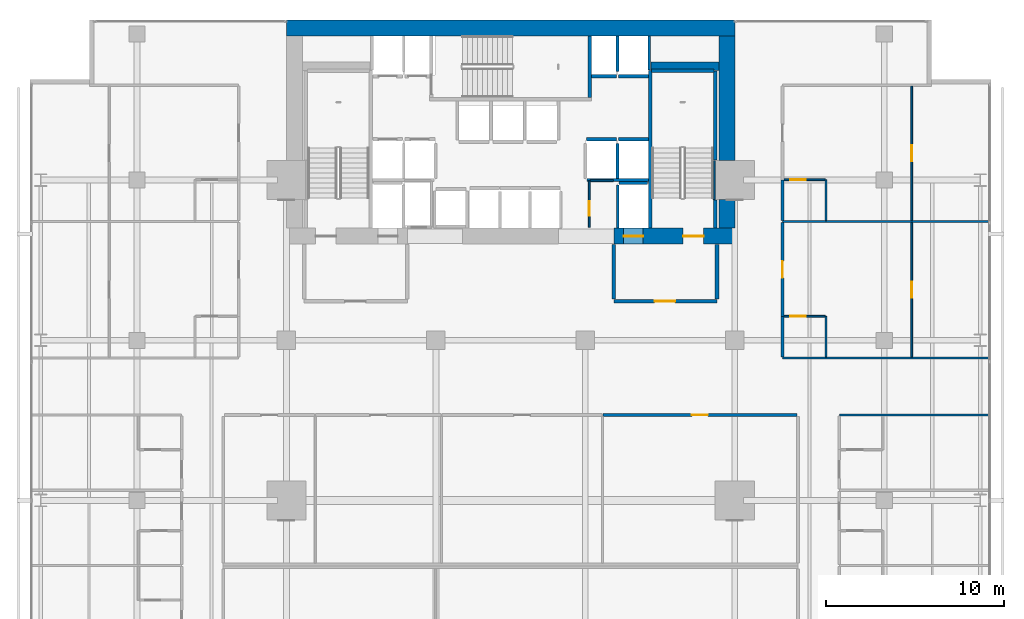
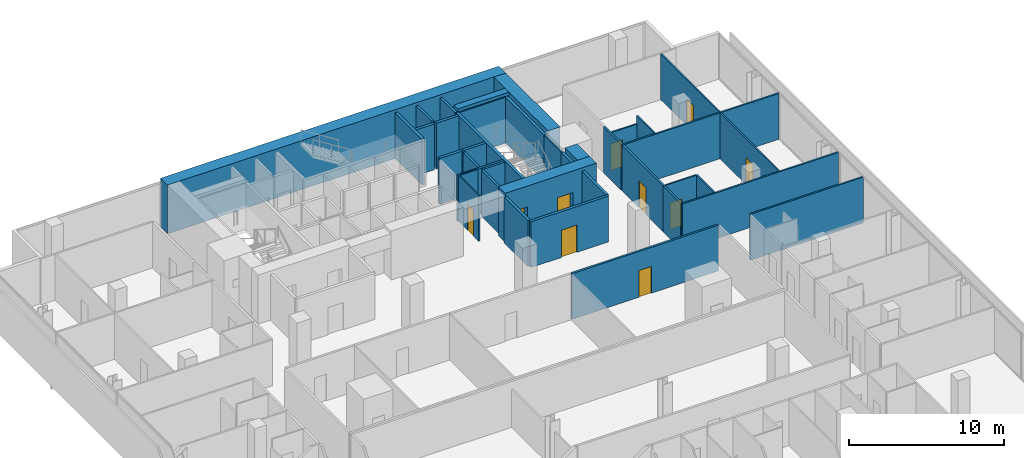
# One storey, part 37 of 40: 39 walls, 10 doors, 10 openings.
"""IFC4 building model written with IfcOpenShell, lengths in metres."""

from ifc_helpers import new_model, si_unit, direction, frame, frame_2d, origin, place, context, subcontext, project, spatial, rectangle, extrude, material, layer, layer_set, type_object, element, fill, save


model = new_model("IFC4")

# Units and contexts
model_context = context("Model", 3, precision=1e-05, world=origin(), true_north=direction((0.0, 1.0)))
body_context = subcontext(model_context, "Body", "Model", "MODEL_VIEW")
ifc_project = project(units=[si_unit("LENGTHUNIT", "METRE"), si_unit("AREAUNIT", "SQUARE_METRE"), si_unit("VOLUMEUNIT", "CUBIC_METRE"), si_unit("PLANEANGLEUNIT", "RADIAN"), si_unit("MASSUNIT", "GRAM", prefix="KILO")], contexts=[model_context])

# Site, building, storey
site_placement = place(None, origin())
site = spatial("IfcSite", under=ifc_project, at=site_placement, CompositionType="ELEMENT")
building_placement = place(site_placement, origin())
building = spatial("IfcBuilding", under=site, at=building_placement, Name="Maruvema Waterfront Hotel and Observation Tower", CompositionType="ELEMENT")
storey_placement = place(building_placement, frame((0.0, 0.0, 34.64990234375)))
storey = spatial("IfcBuildingStorey", under=building, at=storey_placement, Name="L07", CompositionType="ELEMENT", Elevation=34.64990234375)

# Wall, opening, door
ifc_material_1 = material(Name="Twin-stud acoustic gypsum drywall", Category="gypsum")
ifc_layer_1 = layer(ifc_material_1, 0.14990234375, Name="Acoustic Corridor and Suite Demising Wall 150 mm")
ifc_layer_set_1 = layer_set([ifc_layer_1], Name="Twin-stud acoustic gypsum drywall")
wall_type_1 = type_object("IfcWallType", Name="Acoustic Corridor and Suite Demising Wall 150 mm", PredefinedType="PARTITIONING", material=ifc_layer_set_1)
wall_1_placement = place(storey_placement, frame((42.998046875, 31.800048828125, 0.0), z_axis=(0.0, 0.0, 1.0), x_axis=(1.0, 0.0, 0.0)))
wall_1 = element("IfcWall", 1, at=wall_1_placement, inside=storey, type_object=wall_type_1, Name="L07 L07-INTN Front 4 021", PredefinedType="PARTITIONING", context=body_context, shape_type="SweptSolid", body=[
    extrude(rectangle(XDim=10.891845703125, YDim=0.14990234375, at=frame_2d((5.44580078125, 0.0))), origin(), (0.0, 0.0, 1.0), 3.610107421875),
])
opening_1_placement = place(wall_1_placement, frame((4.99609375, 0.0, 0.0)))
opening_1 = element("IfcOpeningElement", 2, at=opening_1_placement, cuts=wall_1, Name="Opening DR-090", PredefinedType="OPENING", context=body_context, shape_type="SweptSolid", body=[
    extrude(rectangle(XDim=0.89990234375, YDim=2.10009765625, at=frame_2d((0.449951171875, 1.050048828125))), frame((0.0, 0.0849609375, 0.0), z_axis=(0.0, -1.0, 0.0), x_axis=(1.0, 0.0, 0.0)), (0.0, 0.0, 1.0), 0.169921875),
])
ifc_material_2 = material(Name="Solid-core lacquered timber leaf", Category="wood")
door_type_1 = type_object("IfcDoorType", Name="Accessible Toilet and Room Door 900x2100 mm", OperationType="NOTDEFINED", PredefinedType="DOOR", material=ifc_material_2)
door_1_placement = place(opening_1_placement, origin())
door_1 = element("IfcDoor", 3, at=door_1_placement, inside=storey, type_object=door_type_1, Name="L07 Housekeeping Linen Room Door", OperationType="SINGLE_SWING_RIGHT", OverallHeight=2.10009765625, OverallWidth=0.89990234375, PredefinedType="DOOR", context=body_context, shape_type="SweptSolid", body=[
    extrude(rectangle(XDim=0.89990234375, YDim=2.10009765625, at=frame_2d((0.449951171875, 1.050048828125))), frame((0.0, 0.02490234375, 0.0), z_axis=(0.0, -1.0, 0.0), x_axis=(1.0, 0.0, 0.0)), (0.0, 0.0, 1.0), 0.050048828125),
])
fill(opening_1, door_1)

# Wall
wall_2_placement = place(storey_placement, frame((53.080078125, 35.06005859375, 0.0), z_axis=(0.0, 0.0, 1.0), x_axis=(0.0, 1.0, 0.0)))
element("IfcWall", 4, at=wall_2_placement, inside=storey, type_object=wall_type_1, Name="L07 Bath L07-NE1 Wall 122", PredefinedType="PARTITIONING", context=body_context, shape_type="SweptSolid", body=[
    extrude(rectangle(XDim=2.2900390625, YDim=0.14990234375, at=frame_2d((1.14501953125, 0.0))), origin(), (0.0, 0.0, 1.0), 3.610107421875),
])

# Wall, opening, door
wall_3_placement = place(storey_placement, frame((53.080078125, 37.35009765625, 0.0), z_axis=(0.0, 0.0, 1.0), x_axis=(0.0, 1.0, 0.0)))
wall_3 = element("IfcWall", 5, at=wall_3_placement, inside=storey, type_object=wall_type_1, Name="L07 Room L07-NE1 Corridor Wall 123", PredefinedType="PARTITIONING", context=body_context, shape_type="SweptSolid", body=[
    extrude(rectangle(XDim=5.2587890625, YDim=0.14990234375, at=frame_2d((2.62939453125, 0.0))), origin(), (0.0, 0.0, 1.0), 3.610107421875),
])
opening_2_placement = place(wall_3_placement, frame((2.154296875, 0.0, 0.0)))
opening_2 = element("IfcOpeningElement", 6, at=opening_2_placement, cuts=wall_3, Name="Opening DR-095", PredefinedType="OPENING", context=body_context, shape_type="SweptSolid", body=[
    extrude(rectangle(XDim=0.949951171875, YDim=2.14990234375, at=frame_2d((0.47509765625, 1.074951171875))), frame((0.0, 0.0849609375, 0.0), z_axis=(0.0, -1.0, 0.0), x_axis=(1.0, 0.0, 0.0)), (0.0, 0.0, 1.0), 0.169921875),
])
ifc_material_3 = material(Name="Acoustic solid-core hardwood timber leaf", Category="wood")
door_type_2 = type_object("IfcDoorType", Name="Guestroom Entrance Fire Door 950x2150 mm", OperationType="NOTDEFINED", PredefinedType="DOOR", material=ifc_material_3)
door_2_placement = place(opening_2_placement, frame((0.949951171875, 0.0, 0.0), z_axis=(0.0, 0.0, 1.0), x_axis=(-1.0, 0.0, 0.0)))
door_2 = element("IfcDoor", 7, at=door_2_placement, inside=storey, type_object=door_type_2, Name="L07 Room L07-NE1 Entrance Door", OperationType="SINGLE_SWING_LEFT", OverallHeight=2.14990234375, OverallWidth=0.949951171875, PredefinedType="DOOR", context=body_context, shape_type="SweptSolid", body=[
    extrude(rectangle(XDim=0.949951171875, YDim=2.14990234375, at=frame_2d((0.47509765625, 1.074951171875))), frame((0.0, 0.02490234375, 0.0), z_axis=(0.0, -1.0, 0.0), x_axis=(1.0, 0.0, 0.0)), (0.0, 0.0, 1.0), 0.050048828125),
])
fill(opening_2, door_2)

# Walls
wall_4_placement = place(storey_placement, frame((53.080078125, 42.728759765625, 0.0), z_axis=(0.0, 0.0, 1.0), x_axis=(0.0, 1.0, 0.0)))
element("IfcWall", 8, at=wall_4_placement, inside=storey, type_object=wall_type_1, Name="L07 Bath L07-NE2 Wall 134", PredefinedType="PARTITIONING", context=body_context, shape_type="SweptSolid", body=[
    extrude(rectangle(XDim=2.2900390625, YDim=0.14990234375, at=frame_2d((1.14501953125, 0.0))), origin(), (0.0, 0.0, 1.0), 3.610107421875),
])
ifc_material_4 = material(Name="Precast concrete C45/55", Category="concrete")
ifc_layer_2 = layer(ifc_material_4, 0.199951171875, Name="Core Shaft and Stairwell Enclosure Wall 200 mm")
ifc_layer_set_2 = layer_set([ifc_layer_2], Name="Precast concrete C45/55")
wall_type_2 = type_object("IfcWallType", Name="Core Shaft and Stairwell Enclosure Wall 200 mm", PredefinedType="SOLIDWALL", material=ifc_layer_set_2)
wall_5_placement = place(storey_placement, frame((42.25, 49.64990234375, 0.0), z_axis=(0.0, 0.0, 1.0), x_axis=(0.0, 1.0, 0.0)))
element("IfcWall", 9, at=wall_5_placement, inside=storey, type_object=wall_type_2, Name="L07 Stairwell ST-02 Shaft Wall", PredefinedType="SOLIDWALL", context=body_context, shape_type="SweptSolid", body=[
    extrude(rectangle(XDim=3.4501953125, YDim=0.199951171875, at=frame_2d((1.72509765625, 0.0))), origin(), (0.0, 0.0, 1.0), 3.610107421875),
])
wall_6_placement = place(storey_placement, frame((45.64990234375, 42.300048828125, 0.0), z_axis=(0.0, 0.0, 1.0), x_axis=(0.0, 1.0, 0.0)))
element("IfcWall", 10, at=wall_6_placement, inside=storey, type_object=wall_type_2, Name="L07 Stairwell ST-03 West Shaft Wall", PredefinedType="SOLIDWALL", context=body_context, shape_type="SweptSolid", body=[
    extrude(rectangle(XDim=8.849853515625, YDim=0.199951171875, at=frame_2d((4.4248046875, 0.0))), origin(), (0.0, 0.0, 1.0), 3.610107421875),
])
wall_7_placement = place(storey_placement, frame((49.300048828125, 42.300048828125, 0.0), z_axis=(0.0, 0.0, 1.0), x_axis=(0.0, 1.0, 0.0)))
element("IfcWall", 11, at=wall_7_placement, inside=storey, type_object=wall_type_2, Name="L07 Stairwell ST-03 Shaft Lining Wall", PredefinedType="SOLIDWALL", context=body_context, shape_type="SweptSolid", body=[
    extrude(rectangle(XDim=1.579833984375, YDim=0.199951171875, at=frame_2d((0.7900390625, 0.0))), origin(), (0.0, 0.0, 1.0), 3.610107421875),
])
wall_8_placement = place(storey_placement, frame((49.300048828125, 46.1201171875, 0.0), z_axis=(0.0, 0.0, 1.0), x_axis=(0.0, 1.0, 0.0)))
element("IfcWall", 12, at=wall_8_placement, inside=storey, type_object=wall_type_2, Name="L07 Stairwell ST-03 Shaft Lining Wall", PredefinedType="SOLIDWALL", context=body_context, shape_type="SweptSolid", body=[
    extrude(rectangle(XDim=5.0, YDim=0.199951171875, at=frame_2d((2.5, 0.0))), origin(), (0.0, 0.0, 1.0), 3.610107421875),
])
wall_9_placement = place(storey_placement, frame((45.719970703125, 51.14990234375, 0.0), z_axis=(0.0, 0.0, 1.0), x_axis=(1.0, 0.0, 0.0)))
element("IfcWall", 13, at=wall_9_placement, inside=storey, type_object=wall_type_2, Name="L07 Stairwell ST-03 Shaft Lining Wall", PredefinedType="SOLIDWALL", context=body_context, shape_type="SweptSolid", body=[
    extrude(rectangle(XDim=3.5, YDim=0.199951171875, at=frame_2d((1.75, 0.0))), origin(), (0.0, 0.0, 1.0), 3.610107421875),
])
for number, where, z_axis, x_axis, name in (
    (14, (42.06005859375, 47.300048828125, 0.0), (0.0, 0.0, 1.0), (1.0, 0.0, 0.0), "L07 Lift LF-05 Hoistway Front Wall"),
    (15, (43.860107421875, 47.300048828125, 0.0), (0.0, 0.0, 1.0), (1.0, 0.0, 0.0), "L07 Lift LF-06 Hoistway Front Wall"),
):
    element("IfcWall", number, at=place(storey_placement, frame(where, z_axis=z_axis, x_axis=x_axis)), inside=storey, type_object=wall_type_2, Name=name, PredefinedType="SOLIDWALL", context=body_context, shape_type="SweptSolid", body=[
        extrude(rectangle(XDim=1.679931640625, YDim=0.199951171875, at=frame_2d((0.83984375, 0.0))), origin(), (0.0, 0.0, 1.0), 3.610107421875),
    ])
wall_10_placement = place(storey_placement, frame((42.360107421875, 50.85009765625, 0.0), z_axis=(0.0, 0.0, 1.0), x_axis=(1.0, 0.0, 0.0)))
element("IfcWall", 16, at=wall_10_placement, inside=storey, type_object=wall_type_2, Name="L07 Lift LF-07 Hoistway Front Wall", PredefinedType="SOLIDWALL", context=body_context, shape_type="SweptSolid", body=[
    extrude(rectangle(XDim=1.3798828125, YDim=0.199951171875, at=frame_2d((0.68994140625, 0.0))), origin(), (0.0, 0.0, 1.0), 3.610107421875),
])
wall_11_placement = place(storey_placement, frame((43.860107421875, 50.85009765625, 0.0), z_axis=(0.0, 0.0, 1.0), x_axis=(1.0, 0.0, 0.0)))
element("IfcWall", 17, at=wall_11_placement, inside=storey, type_object=wall_type_2, Name="L07 Lift LF-08 Hoistway Front Wall", PredefinedType="SOLIDWALL", context=body_context, shape_type="SweptSolid", body=[
    extrude(rectangle(XDim=1.679931640625, YDim=0.199951171875, at=frame_2d((0.83984375, 0.0))), origin(), (0.0, 0.0, 1.0), 3.610107421875),
])
ifc_material_5 = material(Name="Concrete C70/85", Category="concrete")
ifc_layer_3 = layer(ifc_material_5, 0.5, Name="Core Shear Wall 500 mm")
ifc_layer_set_3 = layer_set([ifc_layer_3], Name="Concrete C70/85")
wall_type_3 = type_object("IfcWallType", Name="Core Shear Wall 500 mm", PredefinedType="SHEAR", material=ifc_layer_set_3)
wall_12_placement = place(storey_placement, frame((45.699951171875, 51.39990234375, 0.0), z_axis=(0.0, 0.0, 1.0), x_axis=(1.0, 0.0, 0.0)))
element("IfcWall", 18, at=wall_12_placement, inside=storey, type_object=wall_type_3, Name="L07 Internal Core Shear Wall NE 500 mm", PredefinedType="SHEAR", context=body_context, shape_type="SweptSolid", body=[
    extrude(rectangle(XDim=3.800048828125, YDim=0.5, at=frame_2d((1.89990234375, 0.0))), origin(), (0.0, 0.0, 1.0), 3.85009765625),
])
ifc_material_6 = material(Name="Concrete C80/95", Category="concrete")
ifc_layer_4 = layer(ifc_material_6, 0.89990234375, Name="Core Shear Wall 900 mm")
ifc_layer_set_4 = layer_set([ifc_layer_4], Name="Concrete C80/95")
wall_type_4 = type_object("IfcWallType", Name="Core Shear Wall 900 mm", PredefinedType="SHEAR", material=ifc_layer_set_4)
wall_13_placement = place(storey_placement, frame((25.199951171875, 53.550048828125, 0.0), z_axis=(0.0, 0.0, 1.0), x_axis=(1.0, 0.0, 0.0)))
element("IfcWall", 19, at=wall_13_placement, inside=storey, type_object=wall_type_4, Name="L07 North Core Shear Wall", PredefinedType="SHEAR", context=body_context, shape_type="SweptSolid", body=[
    extrude(rectangle(XDim=25.199951171875, YDim=0.89990234375, at=frame_2d((12.60009765625, 0.0))), origin(), (0.0, 0.0, 1.0), 3.85009765625),
])

# Wall, openings, doors
wall_14_placement = place(storey_placement, frame((43.60009765625, 41.85009765625, 0.0), z_axis=(0.0, 0.0, 1.0), x_axis=(1.0, 0.0, 0.0)))
wall_14 = element("IfcWall", 20, at=wall_14_placement, inside=storey, type_object=wall_type_4, Name="L07 South-East Core Shear Wall", PredefinedType="SHEAR", context=body_context, shape_type="SweptSolid", body=[
    extrude(rectangle(XDim=6.7998046875, YDim=0.89990234375, at=frame_2d((3.39990234375, 0.0))), origin(), (0.0, 0.0, 1.0), 3.85009765625),
])
opening_3_placement = place(wall_14_placement, frame((3.89990234375, 0.0, 0.0)))
opening_3 = element("IfcOpeningElement", 21, at=opening_3_placement, cuts=wall_14, Name="Opening SD-01", PredefinedType="OPENING", context=body_context, shape_type="SweptSolid", body=[
    extrude(rectangle(XDim=1.14990234375, YDim=2.14990234375, at=frame_2d((0.574951171875, 1.074951171875))), frame((0.0, 0.4599609375, 0.0), z_axis=(0.0, -1.0, 0.0), x_axis=(1.0, 0.0, 0.0)), (0.0, 0.0, 1.0), 0.919921875),
])
opening_4_placement = place(wall_14_placement, frame((0.550048828125, 0.0, 0.0)))
opening_4 = element("IfcOpeningElement", 22, at=opening_4_placement, cuts=wall_14, Name="Opening LD-03", PredefinedType="OPENING", context=body_context, shape_type="SweptSolid", body=[
    extrude(rectangle(XDim=1.10009765625, YDim=2.199951171875, at=frame_2d((0.550048828125, 1.10009765625))), frame((0.0, 0.4599609375, 0.0), z_axis=(0.0, -1.0, 0.0), x_axis=(1.0, 0.0, 0.0)), (0.0, 0.0, 1.0), 0.919921875),
])
ifc_material_7 = material(Name="Fire-rated galvanised steel leaf", Category="steel")
door_type_3 = type_object("IfcDoorType", Name="Exit Stair Fire Door 1150x2150 mm", OperationType="NOTDEFINED", PredefinedType="DOOR", material=ifc_material_7)
door_3_placement = place(opening_3_placement, origin())
door_3 = element("IfcDoor", 23, at=door_3_placement, inside=storey, type_object=door_type_3, Name="L07 Exit Stair ST-03 Fire Door", OperationType="SINGLE_SWING_RIGHT", OverallHeight=2.14990234375, OverallWidth=1.14990234375, PredefinedType="DOOR", context=body_context, shape_type="SweptSolid", body=[
    extrude(rectangle(XDim=1.14990234375, YDim=2.14990234375, at=frame_2d((0.574951171875, 1.074951171875))), frame((0.0, 0.02490234375, 0.0), z_axis=(0.0, -1.0, 0.0), x_axis=(1.0, 0.0, 0.0)), (0.0, 0.0, 1.0), 0.050048828125),
])
fill(opening_3, door_3)
ifc_material_8 = material(Name="Brushed stainless steel Grade 316", Category="steel")
door_type_4 = type_object("IfcDoorType", Name="Firefighting Lift Sliding Landing Door 1100x2200 mm", OperationType="SLIDING_TO_LEFT", PredefinedType="DOOR", material=ifc_material_8)
door_4_placement = place(opening_4_placement, frame((1.10009765625, 0.0, 0.0), z_axis=(0.0, 0.0, 1.0), x_axis=(-1.0, 0.0, 0.0)))
door_4 = element("IfcDoor", 24, at=door_4_placement, inside=storey, type_object=door_type_4, Name="L07 Firefighting Lift FL-02 Landing Door", OperationType="SLIDING_TO_LEFT", OverallHeight=2.199951171875, OverallWidth=1.10009765625, PredefinedType="DOOR", context=body_context, shape_type="SweptSolid", body=[
    extrude(rectangle(XDim=1.10009765625, YDim=2.199951171875, at=frame_2d((0.550048828125, 1.10009765625))), frame((0.0, 0.02490234375, 0.0), z_axis=(0.0, -1.0, 0.0), x_axis=(1.0, 0.0, 0.0)), (0.0, 0.0, 1.0), 0.050048828125),
])
fill(opening_4, door_4)

# Walls
wall_15_placement = place(storey_placement, frame((49.949951171875, 42.300048828125, 0.0), z_axis=(0.0, 0.0, 1.0), x_axis=(0.0, 1.0, 0.0)))
element("IfcWall", 25, at=wall_15_placement, inside=storey, type_object=wall_type_4, Name="L07 East-South Core Shear Wall", PredefinedType="SHEAR", context=body_context, shape_type="SweptSolid", body=[
    extrude(rectangle(XDim=1.599853515625, YDim=0.89990234375, at=frame_2d((0.7998046875, 0.0))), origin(), (0.0, 0.0, 1.0), 3.85009765625),
])
wall_16_placement = place(storey_placement, frame((49.949951171875, 46.10009765625, 0.0), z_axis=(0.0, 0.0, 1.0), x_axis=(0.0, 1.0, 0.0)))
element("IfcWall", 26, at=wall_16_placement, inside=storey, type_object=wall_type_4, Name="L07 East-North Core Shear Wall", PredefinedType="SHEAR", context=body_context, shape_type="SweptSolid", body=[
    extrude(rectangle(XDim=7.0, YDim=0.89990234375, at=frame_2d((3.5, 0.0))), origin(), (0.0, 0.0, 1.0), 3.85009765625),
])

# Wall, opening, door
ifc_material_9 = material(Name="Moisture-resistant cement-board drywall", Category="gypsum")
ifc_layer_5 = layer(ifc_material_9, 0.10009765625, Name="En-Suite Moisture-Resistant Partition 100 mm")
ifc_layer_set_5 = layer_set([ifc_layer_5], Name="Moisture-resistant cement-board drywall")
wall_type_5 = type_object("IfcWallType", Name="En-Suite Moisture-Resistant Partition 100 mm", PredefinedType="PARTITIONING", material=ifc_layer_set_5)
wall_17_placement = place(storey_placement, frame((42.219970703125, 42.35009765625, 0.0), z_axis=(0.0, 0.0, 1.0), x_axis=(0.0, 1.0, 0.0)))
wall_17 = element("IfcWall", 27, at=wall_17_placement, inside=storey, type_object=wall_type_5, Name="L07 Core Closet K1 West 010", PredefinedType="PARTITIONING", context=body_context, shape_type="SweptSolid", body=[
    extrude(rectangle(XDim=2.60986328125, YDim=0.10009765625, at=frame_2d((1.304931640625, 0.0))), origin(), (0.0, 0.0, 1.0), 3.610107421875),
])
opening_5_placement = place(wall_17_placement, frame((0.64990234375, 0.0, 0.0)))
opening_5 = element("IfcOpeningElement", 28, at=opening_5_placement, cuts=wall_17, Name="Opening DR-080", PredefinedType="OPENING", context=body_context, shape_type="SweptSolid", body=[
    extrude(rectangle(XDim=0.800048828125, YDim=2.050048828125, at=frame_2d((0.39990234375, 1.02490234375))), frame((0.0, 0.06005859375, 0.0), z_axis=(0.0, -1.0, 0.0), x_axis=(1.0, 0.0, 0.0)), (0.0, 0.0, 1.0), 0.1201171875),
])
ifc_material_10 = material(Name="Powder-coated steel access leaf", Category="steel")
door_type_5 = type_object("IfcDoorType", Name="Riser and Service Cupboard Door 800x2050 mm", OperationType="NOTDEFINED", PredefinedType="DOOR", material=ifc_material_10)
door_5_placement = place(opening_5_placement, frame((0.800048828125, 0.0, 0.0), z_axis=(0.0, 0.0, 1.0), x_axis=(-1.0, 0.0, 0.0)))
door_5 = element("IfcDoor", 29, at=door_5_placement, inside=storey, type_object=door_type_5, Name="L07 Core Cleaning Store Door", OperationType="SINGLE_SWING_RIGHT", OverallHeight=2.050048828125, OverallWidth=0.800048828125, PredefinedType="DOOR", context=body_context, shape_type="SweptSolid", body=[
    extrude(rectangle(XDim=0.800048828125, YDim=2.050048828125, at=frame_2d((0.39990234375, 1.02490234375))), frame((0.0, 0.02490234375, 0.0), z_axis=(0.0, -1.0, 0.0), x_axis=(1.0, 0.0, 0.0)), (0.0, 0.0, 1.0), 0.050048828125),
])
fill(opening_5, door_5)

# Walls
wall_18_placement = place(storey_placement, frame((42.280029296875, 44.9599609375, 0.0), z_axis=(0.0, 0.0, 1.0), x_axis=(1.0, 0.0, 0.0)))
element("IfcWall", 30, at=wall_18_placement, inside=storey, type_object=wall_type_5, Name="L07 Core Closet K1 North 011", PredefinedType="PARTITIONING", context=body_context, shape_type="SweptSolid", body=[
    extrude(rectangle(XDim=1.300048828125, YDim=0.10009765625, at=frame_2d((0.64990234375, 0.0))), origin(), (0.0, 0.0, 1.0), 3.610107421875),
])
wall_19_placement = place(storey_placement, frame((55.530029296875, 35.06005859375, 0.0), z_axis=(0.0, 0.0, 1.0), x_axis=(0.0, 1.0, 0.0)))
element("IfcWall", 31, at=wall_19_placement, inside=storey, type_object=wall_type_5, Name="L07 En-Suite L07-NE1 E 124", PredefinedType="PARTITIONING", context=body_context, shape_type="SweptSolid", body=[
    extrude(rectangle(XDim=2.2900390625, YDim=0.10009765625, at=frame_2d((1.14501953125, 0.0))), origin(), (0.0, 0.0, 1.0), 3.610107421875),
])

# Wall, opening, door
wall_20_placement = place(storey_placement, frame((53.179931640625, 37.35009765625, 0.0), z_axis=(0.0, 0.0, 1.0), x_axis=(1.0, 0.0, 0.0)))
wall_20 = element("IfcWall", 32, at=wall_20_placement, inside=storey, type_object=wall_type_5, Name="L07 En-Suite L07-NE1 N 125", PredefinedType="PARTITIONING", context=body_context, shape_type="SweptSolid", body=[
    extrude(rectangle(XDim=2.300048828125, YDim=0.10009765625, at=frame_2d((1.14990234375, 0.0))), origin(), (0.0, 0.0, 1.0), 3.610107421875),
])
opening_6_placement = place(wall_20_placement, frame((0.35009765625, 0.0, 0.0)))
opening_6 = element("IfcOpeningElement", 33, at=opening_6_placement, cuts=wall_20, Name="Opening DR-085", PredefinedType="OPENING", context=body_context, shape_type="SweptSolid", body=[
    extrude(rectangle(XDim=0.85009765625, YDim=2.10009765625, at=frame_2d((0.425048828125, 1.050048828125))), frame((0.0, 0.06005859375, 0.0), z_axis=(0.0, -1.0, 0.0), x_axis=(1.0, 0.0, 0.0)), (0.0, 0.0, 1.0), 0.1201171875),
])
ifc_material_11 = material(Name="Moisture-resistant solid timber leaf", Category="wood")
door_type_6 = type_object("IfcDoorType", Name="En-Suite Bathroom Door 850x2100 mm", OperationType="NOTDEFINED", PredefinedType="DOOR", material=ifc_material_11)
door_6_placement = place(opening_6_placement, origin())
door_6 = element("IfcDoor", 34, at=door_6_placement, inside=storey, type_object=door_type_6, Name="L07 En-Suite L07-NE1 Door", OperationType="SINGLE_SWING_RIGHT", OverallHeight=2.10009765625, OverallWidth=0.85009765625, PredefinedType="DOOR", context=body_context, shape_type="SweptSolid", body=[
    extrude(rectangle(XDim=0.85009765625, YDim=2.10009765625, at=frame_2d((0.425048828125, 1.050048828125))), frame((0.0, 0.02490234375, 0.0), z_axis=(0.0, -1.0, 0.0), x_axis=(1.0, 0.0, 0.0)), (0.0, 0.0, 1.0), 0.050048828125),
])
fill(opening_6, door_6)

wall_21_placement = place(storey_placement, frame((60.350341796875, 35.06005859375, 0.0), z_axis=(0.0, 0.0, 1.0), x_axis=(0.0, 1.0, 0.0)))
wall_21 = element("IfcWall", 35, at=wall_21_placement, inside=storey, type_object=wall_type_5, Name="L07 Suite L07-NE1 Split 126", PredefinedType="PARTITIONING", context=body_context, shape_type="SweptSolid", body=[
    extrude(rectangle(XDim=7.548828125, YDim=0.10009765625, at=frame_2d((3.7744140625, 0.0))), origin(), (0.0, 0.0, 1.0), 3.610107421875),
])
opening_7_placement = place(wall_21_placement, frame((3.324462890625, 0.0, 0.0)))
opening_7 = element("IfcOpeningElement", 36, at=opening_7_placement, cuts=wall_21, Name="Opening DR-090", PredefinedType="OPENING", context=body_context, shape_type="SweptSolid", body=[
    extrude(rectangle(XDim=0.89990234375, YDim=2.10009765625, at=frame_2d((0.449951171875, 1.050048828125))), frame((0.0, 0.06005859375, 0.0), z_axis=(0.0, -1.0, 0.0), x_axis=(1.0, 0.0, 0.0)), (0.0, 0.0, 1.0), 0.1201171875),
])
door_7_placement = place(opening_7_placement, frame((0.89990234375, 0.0, 0.0), z_axis=(0.0, 0.0, 1.0), x_axis=(-1.0, 0.0, 0.0)))
door_7 = element("IfcDoor", 37, at=door_7_placement, inside=storey, type_object=door_type_1, Name="L07 Suite L07-NE1 Bedroom Door", OperationType="SINGLE_SWING_RIGHT", OverallHeight=2.10009765625, OverallWidth=0.89990234375, PredefinedType="DOOR", context=body_context, shape_type="SweptSolid", body=[
    extrude(rectangle(XDim=0.89990234375, YDim=2.10009765625, at=frame_2d((0.449951171875, 1.050048828125))), frame((0.0, 0.02490234375, 0.0), z_axis=(0.0, -1.0, 0.0), x_axis=(1.0, 0.0, 0.0)), (0.0, 0.0, 1.0), 0.050048828125),
])
fill(opening_7, door_7)

# Wall
wall_22_placement = place(storey_placement, frame((55.530029296875, 42.728759765625, 0.0), z_axis=(0.0, 0.0, 1.0), x_axis=(0.0, 1.0, 0.0)))
element("IfcWall", 38, at=wall_22_placement, inside=storey, type_object=wall_type_5, Name="L07 En-Suite L07-NE2 E 136", PredefinedType="PARTITIONING", context=body_context, shape_type="SweptSolid", body=[
    extrude(rectangle(XDim=2.2900390625, YDim=0.10009765625, at=frame_2d((1.14501953125, 0.0))), origin(), (0.0, 0.0, 1.0), 3.610107421875),
])

# Wall, opening, door
wall_23_placement = place(storey_placement, frame((53.179931640625, 45.018798828125, 0.0), z_axis=(0.0, 0.0, 1.0), x_axis=(1.0, 0.0, 0.0)))
wall_23 = element("IfcWall", 39, at=wall_23_placement, inside=storey, type_object=wall_type_5, Name="L07 En-Suite L07-NE2 N 137", PredefinedType="PARTITIONING", context=body_context, shape_type="SweptSolid", body=[
    extrude(rectangle(XDim=2.300048828125, YDim=0.10009765625, at=frame_2d((1.14990234375, 0.0))), origin(), (0.0, 0.0, 1.0), 2.988037109375),
])
opening_8_placement = place(wall_23_placement, frame((0.35009765625, 0.0, 0.0)))
opening_8 = element("IfcOpeningElement", 40, at=opening_8_placement, cuts=wall_23, Name="Opening DR-085", PredefinedType="OPENING", context=body_context, shape_type="SweptSolid", body=[
    extrude(rectangle(XDim=0.85009765625, YDim=2.10009765625, at=frame_2d((0.425048828125, 1.050048828125))), frame((0.0, 0.06005859375, 0.0), z_axis=(0.0, -1.0, 0.0), x_axis=(1.0, 0.0, 0.0)), (0.0, 0.0, 1.0), 0.1201171875),
])
door_8_placement = place(opening_8_placement, origin())
door_8 = element("IfcDoor", 41, at=door_8_placement, inside=storey, type_object=door_type_6, Name="L07 En-Suite L07-NE2 Door", OperationType="SINGLE_SWING_RIGHT", OverallHeight=2.10009765625, OverallWidth=0.85009765625, PredefinedType="DOOR", context=body_context, shape_type="SweptSolid", body=[
    extrude(rectangle(XDim=0.85009765625, YDim=2.10009765625, at=frame_2d((0.425048828125, 1.050048828125))), frame((0.0, 0.02490234375, 0.0), z_axis=(0.0, -1.0, 0.0), x_axis=(1.0, 0.0, 0.0)), (0.0, 0.0, 1.0), 0.050048828125),
])
fill(opening_8, door_8)

wall_24_placement = place(storey_placement, frame((60.350341796875, 42.728759765625, 0.0), z_axis=(0.0, 0.0, 1.0), x_axis=(0.0, 1.0, 0.0)))
wall_24 = element("IfcWall", 42, at=wall_24_placement, inside=storey, type_object=wall_type_5, Name="L07 Suite L07-NE2 Split 138", PredefinedType="PARTITIONING", context=body_context, shape_type="SweptSolid", body=[
    extrude(rectangle(XDim=7.548828125, YDim=0.10009765625, at=frame_2d((3.7744140625, 0.0))), origin(), (0.0, 0.0, 1.0), 3.610107421875),
])
opening_9_placement = place(wall_24_placement, frame((3.324462890625, 0.0, 0.0)))
opening_9 = element("IfcOpeningElement", 43, at=opening_9_placement, cuts=wall_24, Name="Opening DR-090", PredefinedType="OPENING", context=body_context, shape_type="SweptSolid", body=[
    extrude(rectangle(XDim=0.89990234375, YDim=2.10009765625, at=frame_2d((0.449951171875, 1.050048828125))), frame((0.0, 0.06005859375, 0.0), z_axis=(0.0, -1.0, 0.0), x_axis=(1.0, 0.0, 0.0)), (0.0, 0.0, 1.0), 0.1201171875),
])
door_9_placement = place(opening_9_placement, frame((0.89990234375, 0.0, 0.0), z_axis=(0.0, 0.0, 1.0), x_axis=(-1.0, 0.0, 0.0)))
door_9 = element("IfcDoor", 44, at=door_9_placement, inside=storey, type_object=door_type_1, Name="L07 Suite L07-NE2 Bedroom Door", OperationType="SINGLE_SWING_RIGHT", OverallHeight=2.10009765625, OverallWidth=0.89990234375, PredefinedType="DOOR", context=body_context, shape_type="SweptSolid", body=[
    extrude(rectangle(XDim=0.89990234375, YDim=2.10009765625, at=frame_2d((0.449951171875, 1.050048828125))), frame((0.0, 0.02490234375, 0.0), z_axis=(0.0, -1.0, 0.0), x_axis=(1.0, 0.0, 0.0)), (0.0, 0.0, 1.0), 0.050048828125),
])
fill(opening_9, door_9)

ifc_material_12 = material(Name="Autoclaved cellular concrete blockwork", Category="masonry")
ifc_layer_6 = layer(ifc_material_12, 0.199951171875, Name="Fire Compartment Masonry Wall 200 mm")
ifc_layer_set_6 = layer_set([ifc_layer_6], Name="Autoclaved cellular concrete blockwork")
wall_type_6 = type_object("IfcWallType", Name="Fire Compartment Masonry Wall 200 mm", PredefinedType="PARTITIONING", material=ifc_layer_set_6)
wall_25_placement = place(storey_placement, frame((43.60009765625, 38.199951171875, 0.0), z_axis=(0.0, 0.0, 1.0), x_axis=(1.0, 0.0, 0.0)))
wall_25 = element("IfcWall", 45, at=wall_25_placement, inside=storey, type_object=wall_type_6, Name="L07 FFL East South Wall 004", PredefinedType="PARTITIONING", context=body_context, shape_type="SweptSolid", body=[
    extrude(rectangle(XDim=5.7998046875, YDim=0.199951171875, at=frame_2d((2.89990234375, 0.0))), origin(), (0.0, 0.0, 1.0), 3.610107421875),
])
opening_10_placement = place(wall_25_placement, frame((2.300048828125, 0.0, 0.0)))
opening_10 = element("IfcOpeningElement", 46, at=opening_10_placement, cuts=wall_25, Name="Opening FD-115", PredefinedType="OPENING", context=body_context, shape_type="SweptSolid", body=[
    extrude(rectangle(XDim=1.14990234375, YDim=2.14990234375, at=frame_2d((0.574951171875, 1.074951171875))), frame((0.0, 0.10986328125, 0.0), z_axis=(0.0, -1.0, 0.0), x_axis=(1.0, 0.0, 0.0)), (0.0, 0.0, 1.0), 0.219970703125),
])
ifc_material_13 = material(Name="Fire-rated galvanised steel and vision glass", Category="steel")
door_type_7 = type_object("IfcDoorType", Name="Firefighting Lobby Fire Door 1150x2150 mm", OperationType="NOTDEFINED", PredefinedType="DOOR", material=ifc_material_13)
door_10_placement = place(opening_10_placement, frame((1.14990234375, 0.0, 0.0), z_axis=(0.0, 0.0, 1.0), x_axis=(-1.0, 0.0, 0.0)))
door_10 = element("IfcDoor", 47, at=door_10_placement, inside=storey, type_object=door_type_7, Name="L07 Firefighting Lobby East Door", OperationType="SINGLE_SWING_RIGHT", OverallHeight=2.14990234375, OverallWidth=1.14990234375, PredefinedType="DOOR", context=body_context, shape_type="SweptSolid", body=[
    extrude(rectangle(XDim=1.14990234375, YDim=2.14990234375, at=frame_2d((0.574951171875, 1.074951171875))), frame((0.0, 0.02490234375, 0.0), z_axis=(0.0, -1.0, 0.0), x_axis=(1.0, 0.0, 0.0)), (0.0, 0.0, 1.0), 0.050048828125),
])
fill(opening_10, door_10)

# Walls
for number, where, z_axis, x_axis, name in (
    (48, (43.60009765625, 38.31005859375, 0.0), (0.0, 0.0, 1.0), (0.0, 1.0, 0.0), "L07 FFL East West Wall 005"),
    (49, (49.39990234375, 38.31005859375, 0.0), (0.0, 0.0, 1.0), (0.0, 1.0, 0.0), "L07 FFL East East Wall 006"),
):
    element("IfcWall", number, at=place(storey_placement, frame(where, z_axis=z_axis, x_axis=x_axis)), inside=storey, type_object=wall_type_6, Name=name, PredefinedType="PARTITIONING", context=body_context, shape_type="SweptSolid", body=[
        extrude(rectangle(XDim=3.06982421875, YDim=0.199951171875, at=frame_2d((1.534912109375, 0.0))), origin(), (0.0, 0.0, 1.0), 3.610107421875),
    ])
ifc_material_14 = material(Name="Acoustic gypsum plasterboard drywall", Category="gypsum")
ifc_layer_7 = layer(ifc_material_14, 0.125, Name="Guestroom Acoustic Demising Wall 125 mm")
ifc_layer_set_7 = layer_set([ifc_layer_7], Name="Acoustic gypsum plasterboard drywall")
wall_type_7 = type_object("IfcWallType", Name="Guestroom Acoustic Demising Wall 125 mm", PredefinedType="PARTITIONING", material=ifc_layer_set_7)
wall_26_placement = place(storey_placement, frame((56.280029296875, 31.800048828125, 0.0), z_axis=(0.0, 0.0, 1.0), x_axis=(1.0, 0.0, 0.0)))
element("IfcWall", 50, at=wall_26_placement, inside=storey, type_object=wall_type_7, Name="L07 E Top End 074", PredefinedType="PARTITIONING", context=body_context, shape_type="SweptSolid", body=[
    extrude(rectangle(XDim=8.419921875, YDim=0.125, at=frame_2d((4.2099609375, 0.0))), origin(), (0.0, 0.0, 1.0), 3.610107421875),
])
for number, where, z_axis, x_axis, name in (
    (51, (53.080078125, 35.0, 0.0), (0.0, 0.0, 1.0), (1.0, 0.0, 0.0), "L07 NE Bot End 114"),
    (52, (53.080078125, 42.668701171875, 0.0), (0.0, 0.0, 1.0), (1.0, 0.0, 0.0), "L07 NE Demising 2 128"),
):
    element("IfcWall", number, at=place(storey_placement, frame(where, z_axis=z_axis, x_axis=x_axis)), inside=storey, type_object=wall_type_7, Name=name, PredefinedType="PARTITIONING", context=body_context, shape_type="SweptSolid", body=[
        extrude(rectangle(XDim=11.619873046875, YDim=0.125, at=frame_2d((5.81005859375, 0.0))), origin(), (0.0, 0.0, 1.0), 3.610107421875),
    ])
ifc_material_15 = material(Name="Precast concrete C45/55", Category="concrete")
ifc_layer_8 = layer(ifc_material_15, 0.159912109375, Name="Lift Hoistway Divider Wall 160 mm")
ifc_layer_set_8 = layer_set([ifc_layer_8], Name="Precast concrete C45/55")
wall_type_8 = type_object("IfcWallType", Name="Lift Hoistway Divider Wall 160 mm", PredefinedType="SOLIDWALL", material=ifc_layer_set_8)
wall_27_placement = place(storey_placement, frame((43.89990234375, 44.830078125, 0.0), z_axis=(0.0, 0.0, 1.0), x_axis=(1.0, 0.0, 0.0)))
element("IfcWall", 53, at=wall_27_placement, inside=storey, type_object=wall_type_8, Name="L07 Lift FL-02 Rear Hoistway Wall", PredefinedType="SOLIDWALL", context=body_context, shape_type="SweptSolid", body=[
    extrude(rectangle(XDim=1.60009765625, YDim=0.159912109375, at=frame_2d((0.800048828125, 0.0))), origin(), (0.0, 0.0, 1.0), 3.610107421875),
])
wall_28_placement = place(storey_placement, frame((43.820068359375, 42.300048828125, 0.0), z_axis=(0.0, 0.0, 1.0), x_axis=(0.0, 1.0, 0.0)))
element("IfcWall", 54, at=wall_28_placement, inside=storey, type_object=wall_type_8, Name="L07 Lift FL-02 Inner Hoistway Wall", PredefinedType="SOLIDWALL", context=body_context, shape_type="SweptSolid", body=[
    extrude(rectangle(XDim=2.43994140625, YDim=0.159912109375, at=frame_2d((1.219970703125, 0.0))), origin(), (0.0, 0.0, 1.0), 3.610107421875),
])
wall_29_placement = place(storey_placement, frame((43.800048828125, 45.10009765625, 0.0), z_axis=(0.0, 0.0, 1.0), x_axis=(0.0, 1.0, 0.0)))
element("IfcWall", 55, at=wall_29_placement, inside=storey, type_object=wall_type_8, Name="L07 Hoistway Divider Wall", PredefinedType="SOLIDWALL", context=body_context, shape_type="SweptSolid", body=[
    extrude(rectangle(XDim=1.949951171875, YDim=0.159912109375, at=frame_2d((0.97509765625, 0.0))), origin(), (0.0, 0.0, 1.0), 3.610107421875),
])
wall_30_placement = place(storey_placement, frame((42.10009765625, 45.010009765625, 0.0), z_axis=(0.0, 0.0, 1.0), x_axis=(1.0, 0.0, 0.0)))
element("IfcWall", 56, at=wall_30_placement, inside=storey, type_object=wall_type_8, Name="L07 Hoistway Divider Wall", PredefinedType="SOLIDWALL", context=body_context, shape_type="SweptSolid", body=[
    extrude(rectangle(XDim=3.449951171875, YDim=0.159912109375, at=frame_2d((1.72509765625, 0.0))), origin(), (0.0, 0.0, 1.0), 3.610107421875),
])
wall_31_placement = place(storey_placement, frame((45.590087890625, 51.179931640625, 0.0), z_axis=(0.0, 0.0, 1.0), x_axis=(0.0, 1.0, 0.0)))
element("IfcWall", 57, at=wall_31_placement, inside=storey, type_object=wall_type_8, Name="L07 Hoistway Divider Wall", PredefinedType="SOLIDWALL", context=body_context, shape_type="SweptSolid", body=[
    extrude(rectangle(XDim=1.920166015625, YDim=0.159912109375, at=frame_2d((0.9599609375, 0.0))), origin(), (0.0, 0.0, 1.0), 3.610107421875),
])
wall_32_placement = place(storey_placement, frame((43.800048828125, 51.10009765625, 0.0), z_axis=(0.0, 0.0, 1.0), x_axis=(0.0, 1.0, 0.0)))
element("IfcWall", 58, at=wall_32_placement, inside=storey, type_object=wall_type_8, Name="L07 Hoistway Divider Wall", PredefinedType="SOLIDWALL", context=body_context, shape_type="SweptSolid", body=[
    extrude(rectangle(XDim=2.0, YDim=0.159912109375, at=frame_2d((1.0, 0.0))), origin(), (0.0, 0.0, 1.0), 3.610107421875),
])
ifc_material_16 = material(Name="Precast concrete C45/55", Category="concrete")
ifc_layer_9 = layer(ifc_material_16, 0.10009765625, Name="Stairwell Stringer Cheek Wall 100 mm")
ifc_layer_set_9 = layer_set([ifc_layer_9], Name="Precast concrete C45/55")
wall_type_9 = type_object("IfcWallType", Name="Stairwell Stringer Cheek Wall 100 mm", PredefinedType="SOLIDWALL", material=ifc_layer_set_9)
wall_33_placement = place(storey_placement, frame((49.248046875, 43.89990234375, 0.0), z_axis=(0.0, 0.0, 1.0), x_axis=(0.0, 1.0, 0.0)))
element("IfcWall", 59, at=wall_33_placement, inside=storey, type_object=wall_type_9, Name="L07 Stairwell ST-03 Mega-Column Cheek Wall", PredefinedType="SOLIDWALL", context=body_context, shape_type="SweptSolid", body=[
    extrude(rectangle(XDim=2.2001953125, YDim=0.10009765625, at=frame_2d((1.10009765625, 0.0))), origin(), (0.0, 0.0, 1.0), 3.610107421875),
])

save(model, "model.ifc")
